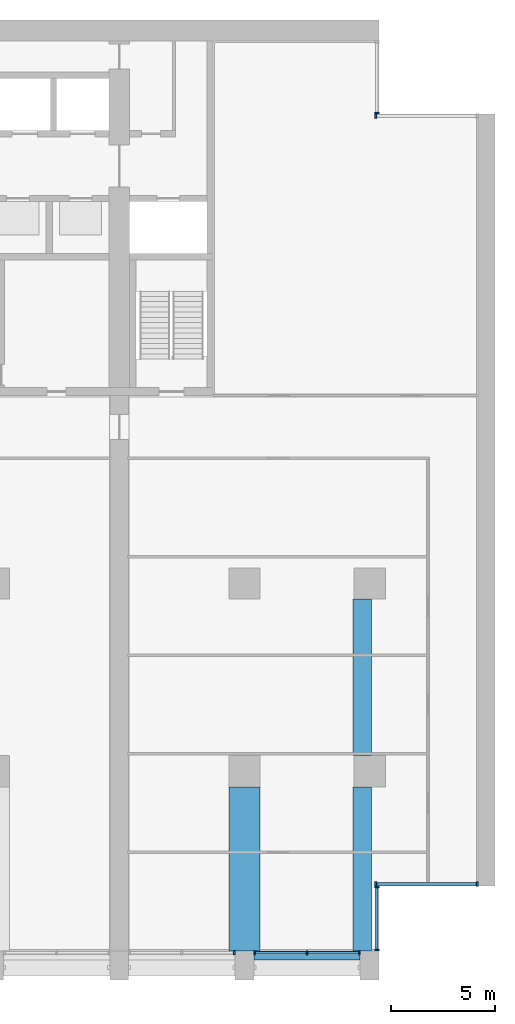
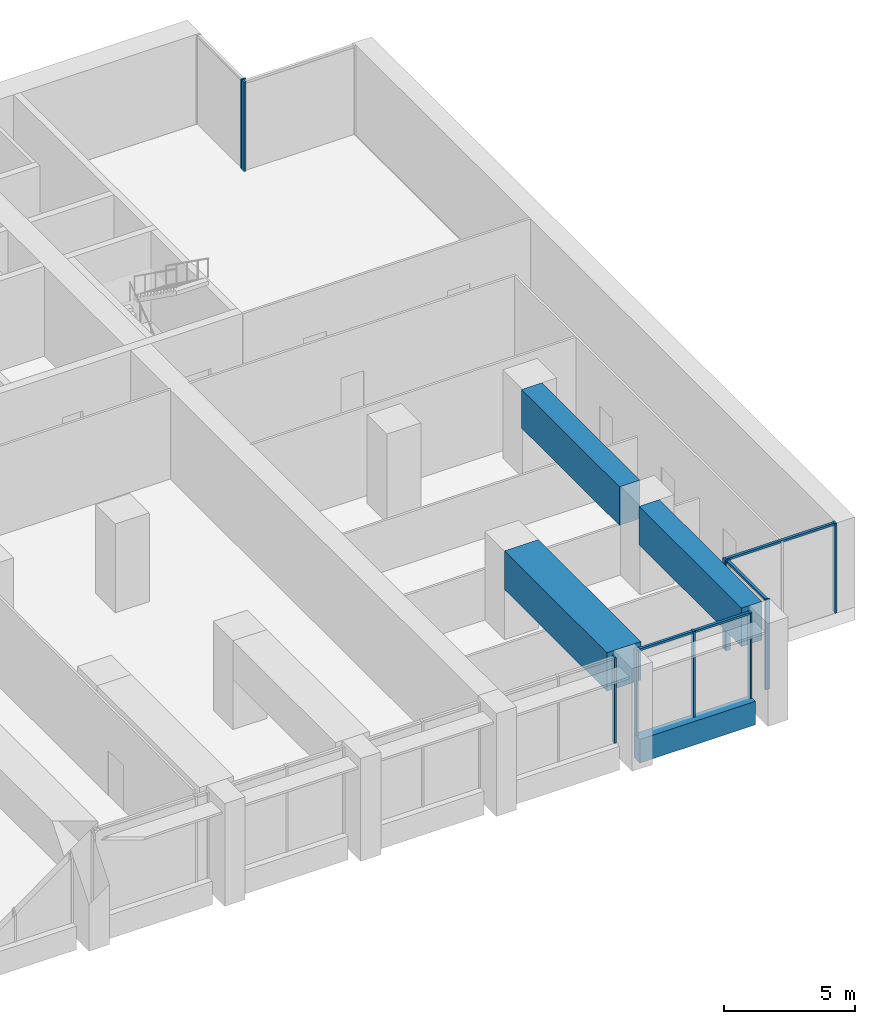
# One storey, part 5 of 18: 14 members, 4 beams, 6 elements without a shape of their own.
"""IFC4 building model written with IfcOpenShell, lengths in metres."""

from ifc_helpers import new_model, si_unit, direction, frame, origin, origin_2d, place, context, subcontext, project, spatial, rectangle, extrude, material, material_profile, profile_set, type_object, element, aggregate, save


model = new_model("IFC4")

# Units and contexts
model_context = context("Model", 3, precision=1e-05, world=origin(), true_north=direction((0.0, 1.0)))
body_context = subcontext(model_context, "Body", "Model", "MODEL_VIEW")
ifc_project = project(units=[si_unit("LENGTHUNIT", "METRE"), si_unit("AREAUNIT", "SQUARE_METRE"), si_unit("VOLUMEUNIT", "CUBIC_METRE"), si_unit("PLANEANGLEUNIT", "RADIAN"), si_unit("MASSUNIT", "GRAM", prefix="KILO")], contexts=[model_context])

# Site, building, storey
site_placement = place(None, origin())
site = spatial("IfcSite", under=ifc_project, at=site_placement, CompositionType="ELEMENT")
building_placement = place(site_placement, origin())
building = spatial("IfcBuilding", under=site, at=building_placement, Name="Calvaro Tower", CompositionType="ELEMENT")
storey_placement = place(building_placement, frame((0.0, 0.0, 90.0)))
storey = spatial("IfcBuildingStorey", under=building, at=storey_placement, Name="L22", CompositionType="ELEMENT", Elevation=90.0)

# Curtain wall, member
ifc_material_1 = material(Name="Anodised aluminium", Category="aluminium")
curtain_wall_type = type_object("IfcCurtainWallType", Name="Louvre wall", PredefinedType="NOTDEFINED", material=ifc_material_1)
curtain_wall_1_placement = place(storey_placement, origin())
curtain_wall_1 = element("IfcCurtainWall", 1, at=curtain_wall_1_placement, inside=storey, type_object=curtain_wall_type, Name="CW8 south louvre wall", PredefinedType="NOTDEFINED")
ifc_material_2 = material(Name="Anodised aluminium", Category="aluminium")
ifc_material_profile_1 = material_profile(ifc_material_2, rectangle(XDim=0.199951171875, YDim=0.080078125, at=origin_2d()), Name="Mullion LV 80 x 200")
ifc_profile_set_1 = profile_set([ifc_material_profile_1], Name="Anodised aluminium")
member_type_1 = type_object("IfcMemberType", Name="Mullion LV 80 x 200", PredefinedType="MULLION", material=ifc_profile_set_1)
member_1_placement = place(storey_placement, frame((65.510009765625, 1.300048828125, 0.0), z_axis=(0.0, 0.0, 1.0), x_axis=(0.0, 1.0, 0.0)))
member_1 = element("IfcMember", 2, at=member_1_placement, type_object=member_type_1, Name="CW8 mullion 3", PredefinedType="MULLION", context=body_context, shape_type="SweptSolid", body=[
    extrude(rectangle(XDim=0.199951171875, YDim=0.080078125, at=origin_2d()), origin(), (0.0, 0.0, 1.0), 4.0),
])
aggregate(curtain_wall_1, [member_1])

# Curtain wall, members
curtain_wall_2_placement = place(storey_placement, origin())
curtain_wall_2 = element("IfcCurtainWall", 3, at=curtain_wall_2_placement, inside=storey, type_object=curtain_wall_type, Name="CW8 south louvre wall", PredefinedType="NOTDEFINED")
member_2_placement = place(storey_placement, frame((66.489990234375, 1.300048828125, 0.0), z_axis=(0.0, 0.0, 1.0), x_axis=(0.0, 1.0, 0.0)))
member_2 = element("IfcMember", 4, at=member_2_placement, type_object=member_type_1, Name="CW8 mullion 1", PredefinedType="MULLION", context=body_context, shape_type="SweptSolid", body=[
    extrude(rectangle(XDim=0.199951171875, YDim=0.080078125, at=origin_2d()), origin(), (0.0, 0.0, 1.0), 4.0),
])
member_3_placement = place(storey_placement, frame((69.0, 1.300048828125, 0.0), z_axis=(0.0, 0.0, 1.0), x_axis=(0.0, 1.0, 0.0)))
member_3 = element("IfcMember", 5, at=member_3_placement, type_object=member_type_1, Name="CW8 mullion 2", PredefinedType="MULLION", context=body_context, shape_type="SweptSolid", body=[
    extrude(rectangle(XDim=0.199951171875, YDim=0.080078125, at=origin_2d()), origin(), (0.0, 0.0, 1.0), 4.0),
])
member_4_placement = place(storey_placement, frame((71.510009765625, 1.300048828125, 0.0), z_axis=(0.0, 0.0, 1.0), x_axis=(0.0, 1.0, 0.0)))
member_4 = element("IfcMember", 6, at=member_4_placement, type_object=member_type_1, Name="CW8 mullion 3", PredefinedType="MULLION", context=body_context, shape_type="SweptSolid", body=[
    extrude(rectangle(XDim=0.199951171875, YDim=0.080078125, at=origin_2d()), origin(), (0.0, 0.0, 1.0), 4.0),
])

curtain_wall_3_placement = place(storey_placement, origin())
curtain_wall_3 = element("IfcCurtainWall", 7, at=curtain_wall_3_placement, inside=storey, type_object=curtain_wall_type, Name="CW8 corner curtain wall", PredefinedType="NOTDEFINED")
member_5_placement = place(storey_placement, frame((72.35009765625, 1.43994140625, 0.0), z_axis=(0.0, 0.0, 1.0), x_axis=(-1.0, 0.0, 0.0)))
member_5 = element("IfcMember", 8, at=member_5_placement, type_object=member_type_1, Name="CW8 mullion 1", PredefinedType="MULLION", context=body_context, shape_type="SweptSolid", body=[
    extrude(rectangle(XDim=0.199951171875, YDim=0.080078125, at=origin_2d()), origin(), (0.0, 0.0, 1.0), 4.199951171875),
])
member_6_placement = place(storey_placement, frame((72.35009765625, 4.4599609375, 0.0), z_axis=(0.0, 0.0, 1.0), x_axis=(-1.0, 0.0, 0.0)))
member_6 = element("IfcMember", 9, at=member_6_placement, type_object=member_type_1, Name="CW8 mullion 2", PredefinedType="MULLION", context=body_context, shape_type="SweptSolid", body=[
    extrude(rectangle(XDim=0.199951171875, YDim=0.080078125, at=origin_2d()), origin(), (0.0, 0.0, 1.0), 4.199951171875),
])

curtain_wall_4_placement = place(storey_placement, origin())
curtain_wall_4 = element("IfcCurtainWall", 10, at=curtain_wall_4_placement, inside=storey, type_object=curtain_wall_type, Name="CW8 corner curtain wall", PredefinedType="NOTDEFINED")
member_7_placement = place(storey_placement, frame((72.2900390625, 4.60009765625, 0.0), z_axis=(0.0, 0.0, 1.0), x_axis=(0.0, 1.0, 0.0)))
member_7 = element("IfcMember", 11, at=member_7_placement, type_object=member_type_1, Name="CW8 mullion 1", PredefinedType="MULLION", context=body_context, shape_type="SweptSolid", body=[
    extrude(rectangle(XDim=0.199951171875, YDim=0.080078125, at=origin_2d()), origin(), (0.0, 0.0, 1.0), 4.199951171875),
])
member_8_placement = place(storey_placement, frame((77.159912109375, 4.60009765625, 0.0), z_axis=(0.0, 0.0, 1.0), x_axis=(0.0, 1.0, 0.0)))
member_8 = element("IfcMember", 12, at=member_8_placement, type_object=member_type_1, Name="CW8 mullion 2", PredefinedType="MULLION", context=body_context, shape_type="SweptSolid", body=[
    extrude(rectangle(XDim=0.199951171875, YDim=0.080078125, at=origin_2d()), origin(), (0.0, 0.0, 1.0), 4.199951171875),
])

# Curtain wall, member
curtain_wall_5_placement = place(storey_placement, origin())
curtain_wall_5 = element("IfcCurtainWall", 13, at=curtain_wall_5_placement, inside=storey, type_object=curtain_wall_type, Name="CW8 corner curtain wall", PredefinedType="NOTDEFINED")
member_9_placement = place(storey_placement, frame((72.35009765625, 41.5400390625, 0.0), z_axis=(0.0, 0.0, 1.0), x_axis=(-1.0, 0.0, 0.0)))
member_9 = element("IfcMember", 14, at=member_9_placement, type_object=member_type_1, Name="CW8 mullion 1", PredefinedType="MULLION", context=body_context, shape_type="SweptSolid", body=[
    extrude(rectangle(XDim=0.199951171875, YDim=0.080078125, at=origin_2d()), origin(), (0.0, 0.0, 1.0), 4.199951171875),
])
aggregate(curtain_wall_5, [member_9])

curtain_wall_6_placement = place(storey_placement, origin())
curtain_wall_6 = element("IfcCurtainWall", 15, at=curtain_wall_6_placement, inside=storey, type_object=curtain_wall_type, Name="CW8 corner curtain wall", PredefinedType="NOTDEFINED")
member_10_placement = place(storey_placement, frame((72.2900390625, 41.39990234375, 0.0), z_axis=(0.0, 0.0, 1.0), x_axis=(0.0, 1.0, 0.0)))
member_10 = element("IfcMember", 16, at=member_10_placement, type_object=member_type_1, Name="CW8 mullion 1", PredefinedType="MULLION", context=body_context, shape_type="SweptSolid", body=[
    extrude(rectangle(XDim=0.199951171875, YDim=0.080078125, at=origin_2d()), origin(), (0.0, 0.0, 1.0), 4.199951171875),
])
aggregate(curtain_wall_6, [member_10])

# Beams
ifc_material_3 = material(Name="Concrete C50/60 precast", Category="concrete")
ifc_material_profile_2 = material_profile(ifc_material_3, rectangle(XDim=0.449951171875, YDim=1.10009765625, at=origin_2d()), Name="RC 450x1100")
ifc_profile_set_2 = profile_set([ifc_material_profile_2], Name="Concrete C50/60 precast")
beam_type_1 = type_object("IfcBeamType", Name="Spandrel beam 450x1100 C50/60", PredefinedType="SPANDREL", material=ifc_profile_set_2)
beam_1_placement = place(storey_placement, frame((66.449951171875, 1.175048828125, -0.550048828125), z_axis=(1.0, 0.0, 0.0), x_axis=(0.0, 1.0, 0.0)))
element("IfcBeam", 17, at=beam_1_placement, inside=storey, type_object=beam_type_1, Name="Spandrel beam", PredefinedType="SPANDREL", context=body_context, shape_type="SweptSolid", body=[
    extrude(rectangle(XDim=0.449951171875, YDim=1.10009765625, at=origin_2d()), origin(), (0.0, 0.0, 1.0), 5.10009765625),
])
ifc_material_4 = material(Name="Concrete C60/75", Category="concrete")
ifc_material_profile_3 = material_profile(ifc_material_4, rectangle(XDim=1.5, YDim=1.800048828125, at=origin_2d()), Name="RC 1500x1800")
ifc_profile_set_3 = profile_set([ifc_material_profile_3], Name="Concrete C60/75")
beam_type_2 = type_object("IfcBeamType", Name="Transfer girder 1500x1800 C60/75", PredefinedType="BEAM", material=ifc_profile_set_3)
beam_2_placement = place(storey_placement, frame((66.0, 1.39990234375, 3.300048828125), z_axis=(0.0, 1.0, 0.0), x_axis=(-1.0, 0.0, 0.0)))
element("IfcBeam", 18, at=beam_2_placement, inside=storey, type_object=beam_type_2, Name="Transfer girder", PredefinedType="BEAM", context=body_context, shape_type="SweptSolid", body=[
    extrude(rectangle(XDim=1.5, YDim=1.800048828125, at=origin_2d()), origin(), (0.0, 0.0, 1.0), 7.85009765625),
])
ifc_material_5 = material(Name="Concrete C60/75", Category="concrete")
ifc_material_profile_4 = material_profile(ifc_material_5, rectangle(XDim=0.89990234375, YDim=1.800048828125, at=origin_2d()), Name="RC 900x1800")
ifc_profile_set_4 = profile_set([ifc_material_profile_4], Name="Concrete C60/75")
beam_type_3 = type_object("IfcBeamType", Name="Transfer girder 900x1800 C60/75", PredefinedType="BEAM", material=ifc_profile_set_4)
beam_3_placement = place(storey_placement, frame((71.64990234375, 1.39990234375, 3.300048828125), z_axis=(0.0, 1.0, 0.0), x_axis=(-1.0, 0.0, 0.0)))
element("IfcBeam", 19, at=beam_3_placement, inside=storey, type_object=beam_type_3, Name="Transfer girder", PredefinedType="BEAM", context=body_context, shape_type="SweptSolid", body=[
    extrude(rectangle(XDim=0.89990234375, YDim=1.800048828125, at=origin_2d()), origin(), (0.0, 0.0, 1.0), 7.85009765625),
])
beam_4_placement = place(storey_placement, frame((71.64990234375, 10.75, 3.300048828125), z_axis=(0.0, 1.0, 0.0), x_axis=(-1.0, 0.0, 0.0)))
element("IfcBeam", 20, at=beam_4_placement, inside=storey, type_object=beam_type_3, Name="Transfer girder", PredefinedType="BEAM", context=body_context, shape_type="SweptSolid", body=[
    extrude(rectangle(XDim=0.89990234375, YDim=1.800048828125, at=origin_2d()), origin(), (0.0, 0.0, 1.0), 7.5),
])

# Member
ifc_material_6 = material(Name="Anodised aluminium", Category="aluminium")
ifc_material_profile_5 = material_profile(ifc_material_6, rectangle(XDim=0.1201171875, YDim=0.10009765625, at=origin_2d()), Name="Transom LV 100 x 120")
ifc_profile_set_5 = profile_set([ifc_material_profile_5], Name="Anodised aluminium")
member_type_2 = type_object("IfcMemberType", Name="Transom LV 100 x 120", PredefinedType="USERDEFINED", material=ifc_profile_set_5)
member_11_placement = place(storey_placement, frame((66.530029296875, 1.300048828125, 3.949951171875), z_axis=(1.0, 0.0, 0.0), x_axis=(0.0, 1.0, 0.0)))
member_11 = element("IfcMember", 21, at=member_11_placement, type_object=member_type_2, Name="CW8 transom 1.1", ObjectType="TRANSOM", PredefinedType="USERDEFINED", context=body_context, shape_type="SweptSolid", body=[
    extrude(rectangle(XDim=0.1201171875, YDim=0.10009765625, at=origin_2d()), origin(), (0.0, 0.0, 1.0), 2.429931640625),
])

member_12_placement = place(storey_placement, frame((69.0400390625, 1.300048828125, 3.949951171875), z_axis=(1.0, 0.0, 0.0), x_axis=(0.0, 1.0, 0.0)))
member_12 = element("IfcMember", 22, at=member_12_placement, type_object=member_type_2, Name="CW8 transom 2.1", ObjectType="TRANSOM", PredefinedType="USERDEFINED", context=body_context, shape_type="SweptSolid", body=[
    extrude(rectangle(XDim=0.1201171875, YDim=0.10009765625, at=origin_2d()), origin(), (0.0, 0.0, 1.0), 2.429931640625),
])

aggregate(curtain_wall_2, [member_2, member_3, member_4, member_11, member_12])

member_13_placement = place(storey_placement, frame((72.35009765625, 1.47998046875, 4.14990234375), z_axis=(0.0, 1.0, 0.0), x_axis=(-1.0, 0.0, 0.0)))
member_13 = element("IfcMember", 23, at=member_13_placement, type_object=member_type_2, Name="CW8 transom 1.1", ObjectType="TRANSOM", PredefinedType="USERDEFINED", context=body_context, shape_type="SweptSolid", body=[
    extrude(rectangle(XDim=0.1201171875, YDim=0.10009765625, at=origin_2d()), origin(), (0.0, 0.0, 1.0), 2.93994140625),
])

aggregate(curtain_wall_3, [member_5, member_6, member_13])

member_14_placement = place(storey_placement, frame((72.330078125, 4.60009765625, 4.14990234375), z_axis=(1.0, 0.0, 0.0), x_axis=(0.0, 1.0, 0.0)))
member_14 = element("IfcMember", 24, at=member_14_placement, type_object=member_type_2, Name="CW8 transom 1.1", ObjectType="TRANSOM", PredefinedType="USERDEFINED", context=body_context, shape_type="SweptSolid", body=[
    extrude(rectangle(XDim=0.1201171875, YDim=0.10009765625, at=origin_2d()), origin(), (0.0, 0.0, 1.0), 4.7900390625),
])

aggregate(curtain_wall_4, [member_7, member_8, member_14])

save(model, "model.ifc")
